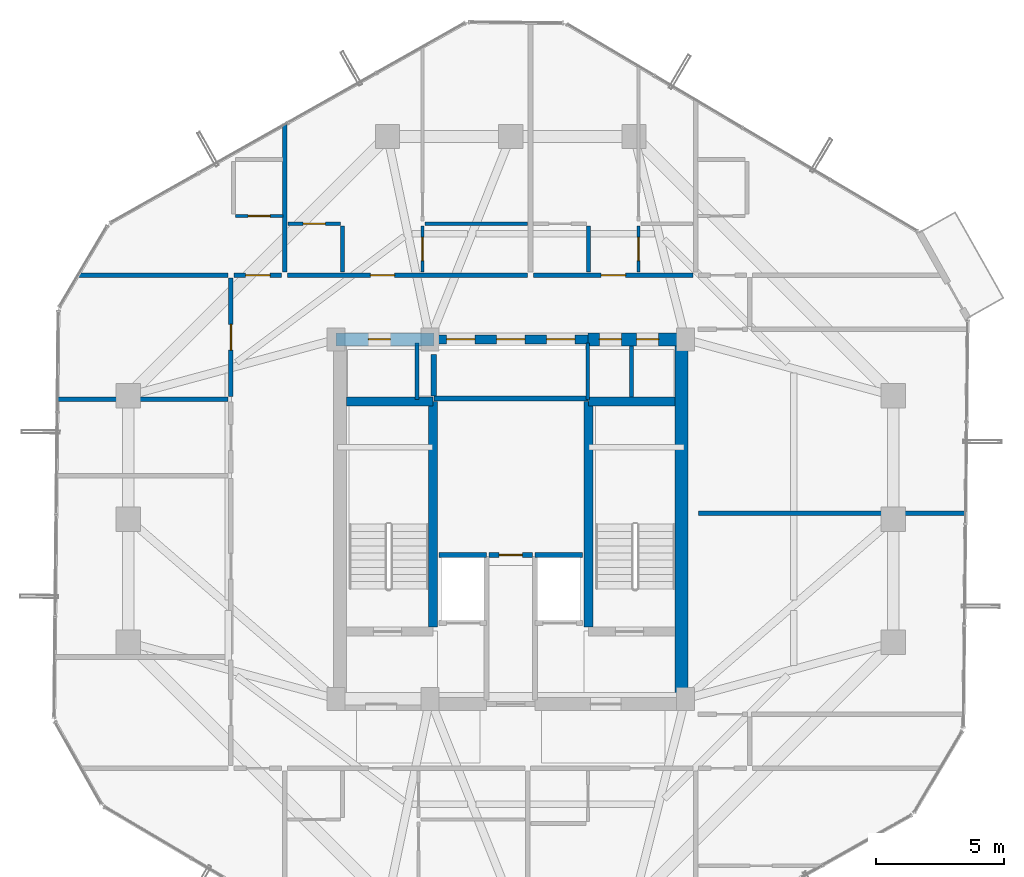
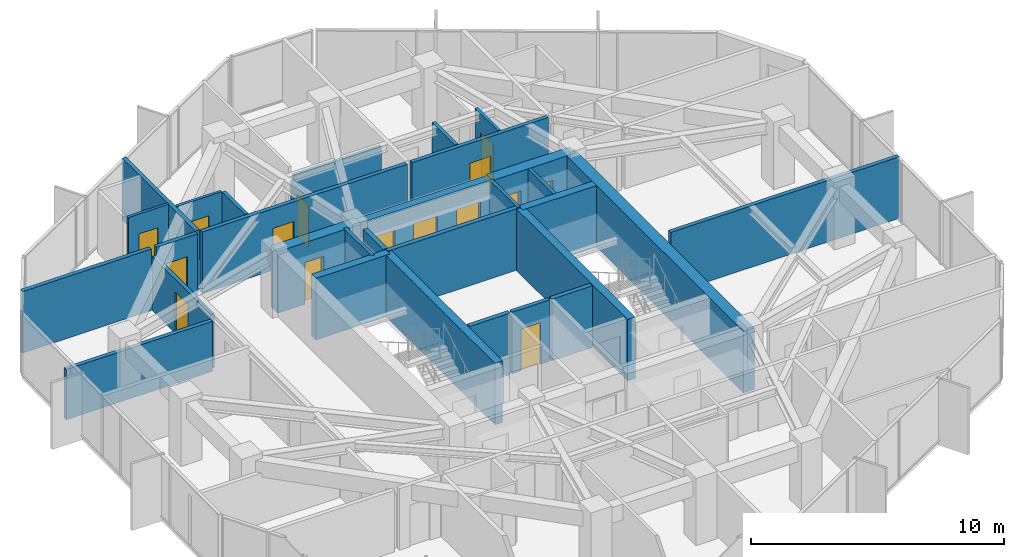
# One storey, part 27 of 30: 31 walls, 15 doors, 15 openings.
"""IFC4 building model written with IfcOpenShell, lengths in metres."""

import ifcopenshell
import ifcopenshell.guid

model = None  # the IFC model being written
_history = None  # IfcOwnerHistory: only IFC2X3 demands one
_inside = {}  # id of a spatial element -> (the spatial element, [elements in it])
_under = {}  # id of a project, library or spatial element -> (it, [spatial elements below it])
_declared = {}  # id of a project -> (the project, [libraries it declares])
_typed = {}  # id of a type object -> (the type object, [elements of that type])
_made_of = {}  # id of a material, layer set ... -> (it, [elements and type objects made of it])


def new_model(schema):
    """Start an empty IFC model of exactly this schema.

    Asked for "IFC4X3", IfcOpenShell would pick the latest addendum, in which some entities
    have other attributes; the version numbers below select the first issue.
    IFC2X3 requires an IfcOwnerHistory on every rooted entity: one is made here for all.
    """
    global model, _history
    if schema == "IFC4X3":
        model = ifcopenshell.file(schema_version=(4, 3, 0, 0))
    else:
        model = ifcopenshell.file(schema=schema)
    _inside.clear()
    _under.clear()
    _declared.clear()
    _typed.clear()
    _made_of.clear()
    _history = None
    if model.schema == "IFC2X3":
        org = make("IfcOrganization", Name="unknown")
        user = make(
            "IfcPersonAndOrganization",
            ThePerson=make("IfcPerson", FamilyName="unknown"),
            TheOrganization=org,
        )
        app = make(
            "IfcApplication",
            ApplicationDeveloper=org,
            Version="unknown",
            ApplicationFullName="unknown",
            ApplicationIdentifier="unknown",
        )
        _history = make(
            "IfcOwnerHistory",
            OwningUser=user,
            OwningApplication=app,
            ChangeAction="ADDED",
            CreationDate=0,
        )
    return model


def make(cls, **values):
    """One entity of the class cls with the attributes given. An attribute that is None is left unset."""
    return model.create_entity(
        cls, **{name: value for name, value in values.items() if value is not None}
    )


def rooted(cls, **values):
    """An entity with a GlobalId (a new one), such as an element, a storey or a relation."""
    return make(cls, GlobalId=ifcopenshell.guid.new(), OwnerHistory=_history, **values)


def si_unit(unit_type, name, prefix=None):
    """IfcSIUnit, for example si_unit("LENGTHUNIT", "METRE", prefix="MILLI")."""
    return make("IfcSIUnit", UnitType=unit_type, Prefix=prefix, Name=name)


def assignment(units):
    """IfcUnitAssignment: the units of a project."""
    return None if units is None else make("IfcUnitAssignment", Units=units)


def point(xyz):
    """IfcCartesianPoint."""
    return None if xyz is None else make("IfcCartesianPoint", Coordinates=xyz)


def direction(xyz):
    """IfcDirection."""
    return None if xyz is None else make("IfcDirection", DirectionRatios=xyz)


def frame(location, z_axis=None, x_axis=None):
    """IfcAxis2Placement3D, a coordinate frame: its origin and axes. An axis left out is left unset."""
    return make(
        "IfcAxis2Placement3D",
        Location=point(location),
        Axis=direction(z_axis),
        RefDirection=direction(x_axis),
    )


def frame_2d(location, x_axis=None):
    """IfcAxis2Placement2D, a coordinate frame in the plane: its origin and x axis."""
    return make(
        "IfcAxis2Placement2D", Location=point(location), RefDirection=direction(x_axis)
    )


def origin():
    """The frame at (0, 0, 0) with its axes left unset."""
    return frame((0.0, 0.0, 0.0))


def place(relative_to, where):
    """IfcLocalPlacement: puts the frame where relative to a parent placement (None: the world)."""
    return make(
        "IfcLocalPlacement", PlacementRelTo=relative_to, RelativePlacement=where
    )


def context(
    kind, dimensions, precision=None, world=None, true_north=None, identifier=None
):
    """IfcGeometricRepresentationContext, for example the 3D "Model" context."""
    return make(
        "IfcGeometricRepresentationContext",
        ContextIdentifier=identifier,
        ContextType=kind,
        CoordinateSpaceDimension=dimensions,
        Precision=precision,
        WorldCoordinateSystem=world,
        TrueNorth=true_north,
    )


def subcontext(parent, identifier, kind, view, scale=None):
    """IfcGeometricRepresentationSubContext, for example "Body" below "Model"."""
    return make(
        "IfcGeometricRepresentationSubContext",
        ContextIdentifier=identifier,
        ContextType=kind,
        ParentContext=parent,
        TargetScale=scale,
        TargetView=view,
    )


def project(units=None, contexts=None):
    """IfcProject with its units and contexts."""
    return rooted(
        "IfcProject",
        Name="project",
        RepresentationContexts=contexts,
        UnitsInContext=assignment(units),
    )


def spatial(cls, under=None, at=None, **own):
    """A site, building, storey or space (cls), placed at a placement, below another one or the project."""
    s = rooted(cls, ObjectPlacement=at, **own)
    if under is not None:
        _under.setdefault(under.id(), (under, []))[1].append(s)
    return s


def profile(cls, at=None, kind="AREA", **sizes):
    """A parametric profile (cls). Its sizes go by their IFC names, for example OverallWidth=200.0."""
    return make(cls, ProfileType=kind, Position=at, **sizes)


def rectangle(**sizes):
    """IfcRectangleProfileDef."""
    return profile("IfcRectangleProfileDef", **sizes)


def extrude(swept, where, along, depth):
    """IfcExtrudedAreaSolid: the profile swept, set in the frame where, extruded along a direction by depth."""
    return make(
        "IfcExtrudedAreaSolid",
        SweptArea=swept,
        Position=where,
        ExtrudedDirection=direction(along),
        Depth=depth,
    )


def shape(context_of_items, identifier, shape_type, items):
    """IfcShapeRepresentation: the items that make up one representation, for example the "Body"."""
    return make(
        "IfcShapeRepresentation",
        ContextOfItems=context_of_items,
        RepresentationIdentifier=identifier,
        RepresentationType=shape_type,
        Items=items,
    )


def source(mapping_origin, context_of_items, identifier, shape_type, items):
    """IfcRepresentationMap: a shape defined once, which mapped items show again and again."""
    return make(
        "IfcRepresentationMap",
        MappingOrigin=mapping_origin,
        MappedRepresentation=shape(context_of_items, identifier, shape_type, items),
    )


def transform(
    local_origin,
    x_axis=None,
    y_axis=None,
    z_axis=None,
    scale=None,
    scale2=None,
    scale3=None,
    uniform=True,
):
    """IfcCartesianTransformationOperator3D, or its non-uniform kind. x_axis, y_axis, z_axis: its Axis1, 2, 3."""
    if uniform:
        return make(
            "IfcCartesianTransformationOperator3D",
            Axis1=direction(x_axis),
            Axis2=direction(y_axis),
            LocalOrigin=point(local_origin),
            Scale=scale,
            Axis3=direction(z_axis),
        )
    return make(
        "IfcCartesianTransformationOperator3DnonUniform",
        Axis1=direction(x_axis),
        Axis2=direction(y_axis),
        LocalOrigin=point(local_origin),
        Scale=scale,
        Axis3=direction(z_axis),
        Scale2=scale2,
        Scale3=scale3,
    )


def mapped(mapping_source, mapping_target):
    """IfcMappedItem: shows the shape of a source again, moved by a transform."""
    return make(
        "IfcMappedItem", MappingSource=mapping_source, MappingTarget=mapping_target
    )


def material(Name=None, Category=None):
    """IfcMaterial."""
    return make("IfcMaterial", Name=Name, Category=Category)


def layer(
    of_material, thickness, ventilated=None, Name=None, Category=None, Priority=None
):
    """IfcMaterialLayer: one layer of a wall or slab, of a material (None: an air gap)."""
    return make(
        "IfcMaterialLayer",
        Material=of_material,
        LayerThickness=thickness,
        IsVentilated=ventilated,
        Name=Name,
        Category=Category,
        Priority=Priority,
    )


def layer_set(layers, Name=None):
    """IfcMaterialLayerSet."""
    return make("IfcMaterialLayerSet", MaterialLayers=layers, LayerSetName=Name)


def made_of(thing, what):
    """Note that an element or type object is made of a material, layer set ...; save() writes the relation."""
    if what is not None:
        _made_of.setdefault(what.id(), (what, []))[1].append(thing)
    return thing


def type_object(cls, material=None, **own):
    """A type object (cls), such as IfcWallType, which elements share."""
    return made_of(rooted(cls, **own), material)


def element(
    cls,
    number,
    at=None,
    inside=None,
    cuts=None,
    type_object=None,
    material=None,
    context=None,
    identifier="Body",
    shape_type=None,
    held_by="IfcProductDefinitionShape",
    body=None,
    shapes=None,
    **own,
):
    """One element of the class cls, such as IfcWall. Its Tag is "e" and its number.

    at: its placement. inside: the storey or other place that contains it. cuts: it is an
    opening in that element (IfcRelVoidsElement). A single representation is given by context,
    identifier, shape_type and body (its items); several are given by shapes. held_by: the class
    of the entity that holds the representations. save() writes the other relations.
    """
    e = rooted(cls, Tag="e%d" % number, ObjectPlacement=at, **own)
    if body is not None:
        shapes = [shape(context, identifier, shape_type, body)]
    if shapes is not None:
        e.Representation = make(held_by, Representations=shapes)
    if inside is not None:
        _inside.setdefault(inside.id(), (inside, []))[1].append(e)
    if cuts is not None:
        rooted(
            "IfcRelVoidsElement", RelatingBuildingElement=cuts, RelatedOpeningElement=e
        )
    if type_object is not None:
        _typed.setdefault(type_object.id(), (type_object, []))[1].append(e)
    return made_of(e, material)


def fill(opening, filler):
    """IfcRelFillsElement: the door or window that sits in an opening."""
    return rooted(
        "IfcRelFillsElement",
        RelatingOpeningElement=opening,
        RelatedBuildingElement=filler,
    )


def aggregate(whole, parts):
    """IfcRelAggregates: a whole, such as a stair, and the parts it consists of."""
    return rooted("IfcRelAggregates", RelatingObject=whole, RelatedObjects=parts)


def save(model, path):
    """Write the relations noted so far, then the file.

    IfcRelAggregates (storeys below a building ...), IfcRelContainedInSpatialStructure (elements
    in a storey), IfcRelDefinesByType, IfcRelAssociatesMaterial and IfcRelDeclares: one each for
    every whole, place, type object, material and project.
    """
    for whole, parts in _under.values():
        aggregate(whole, parts)
    for where, things in _inside.values():
        rooted(
            "IfcRelContainedInSpatialStructure",
            RelatedElements=things,
            RelatingStructure=where,
        )
    for kind, things in _typed.values():
        rooted("IfcRelDefinesByType", RelatedObjects=things, RelatingType=kind)
    for what, things in _made_of.values():
        rooted("IfcRelAssociatesMaterial", RelatedObjects=things, RelatingMaterial=what)
    for by, libraries in _declared.values():
        rooted("IfcRelDeclares", RelatingContext=by, RelatedDefinitions=libraries)
    model.write(path)


model = new_model("IFC4")

# Units and contexts
model_context = context("Model", 3, precision=1e-05, world=origin(), true_north=direction((0.0, 1.0)))
body_context = subcontext(model_context, "Body", "Model", "MODEL_VIEW")
ifc_project = project(units=[si_unit("LENGTHUNIT", "METRE"), si_unit("AREAUNIT", "SQUARE_METRE"), si_unit("VOLUMEUNIT", "CUBIC_METRE"), si_unit("PLANEANGLEUNIT", "RADIAN"), si_unit("MASSUNIT", "GRAM", prefix="KILO")], contexts=[model_context])

# Site, building, storey
site_placement = place(None, origin())
site = spatial("IfcSite", under=ifc_project, at=site_placement, CompositionType="ELEMENT")
building_placement = place(site_placement, origin())
building = spatial("IfcBuilding", under=site, at=building_placement, Name="Veraguas Prism Commons", CompositionType="ELEMENT")
storey_placement = place(building_placement, frame((0.0, 0.0, 208.10009765625)))
storey = spatial("IfcBuildingStorey", under=building, at=storey_placement, Name="L59", CompositionType="ELEMENT", Elevation=208.10009765625)

# Wall, openings, doors
ifc_material_1 = material(Name="Concrete C50/60", Category="concrete")
ifc_layer_1 = layer(ifc_material_1, 0.35009765625, Name="Core Internal Shear Wall Upper RC 350", Category="concrete")
ifc_layer_set_1 = layer_set([ifc_layer_1], Name="Concrete C50/60")
wall_type_1 = type_object("IfcWallType", Name="Core Internal Shear Wall Upper RC 350", PredefinedType="SHEAR", material=ifc_layer_set_1)
wall_1_placement = place(storey_placement, frame((21.0, 31.0, 0.0), z_axis=(0.0, 0.0, 1.0), x_axis=(1.0, 0.0, 0.0)))
wall_1 = element("IfcWall", 1, at=wall_1_placement, inside=storey, type_object=wall_type_1, Name="High-Rise Lift Bank Front Shear Wall L59", PredefinedType="SHEAR", context=body_context, shape_type="SweptSolid", body=[
    extrude(rectangle(XDim=6.0, YDim=0.35009765625, at=frame_2d((3.0, 0.0))), origin(), (0.0, 0.0, 1.0), 2.969970703125),
])
opening_1_placement = place(wall_1_placement, frame((0.5, 0.0, 0.0)))
opening_1 = element("IfcOpeningElement", 2, at=opening_1_placement, cuts=wall_1, Name="Opening LD-01", PredefinedType="OPENING", context=body_context, shape_type="SweptSolid", body=[
    extrude(rectangle(XDim=1.10009765625, YDim=2.080078125, at=frame_2d((0.550048828125, 1.0400390625))), frame((0.0, 0.18505859375, 0.0), z_axis=(0.0, -1.0, 0.0), x_axis=(1.0, 0.0, 0.0)), (0.0, 0.0, 1.0), 0.3701171875),
])
opening_2_placement = place(wall_1_placement, frame((2.449951171875, 0.0, 0.0)))
opening_2 = element("IfcOpeningElement", 3, at=opening_2_placement, cuts=wall_1, Name="Opening LD-01", PredefinedType="OPENING", context=body_context, shape_type="SweptSolid", body=[
    extrude(rectangle(XDim=1.10009765625, YDim=2.080078125, at=frame_2d((0.550048828125, 1.0400390625))), frame((0.0, 0.18505859375, 0.0), z_axis=(0.0, -1.0, 0.0), x_axis=(1.0, 0.0, 0.0)), (0.0, 0.0, 1.0), 0.3701171875),
])
opening_3_placement = place(wall_1_placement, frame((4.39990234375, 0.0, 0.0)))
opening_3 = element("IfcOpeningElement", 4, at=opening_3_placement, cuts=wall_1, Name="Opening LD-01", PredefinedType="OPENING", context=body_context, shape_type="SweptSolid", body=[
    extrude(rectangle(XDim=1.10009765625, YDim=2.080078125, at=frame_2d((0.550048828125, 1.0400390625))), frame((0.0, 0.18505859375, 0.0), z_axis=(0.0, -1.0, 0.0), x_axis=(1.0, 0.0, 0.0)), (0.0, 0.0, 1.0), 0.3701171875),
])
ifc_material_2 = material(Name="Stainless steel AISI 316", Category="steel")
door_type_1 = type_object("IfcDoorType", Name="Passenger Lift Sliding Landing Door 1100x2080", OperationType="NOTDEFINED", PredefinedType="DOOR", material=ifc_material_2)
shared_shape_1 = source(origin(), body_context, "Body", "SweptSolid", [
    extrude(rectangle(XDim=1.10009765625, YDim=2.080078125, at=frame_2d((0.550048828125, 1.0400390625))), frame((0.0, 0.02490234375, 0.0), z_axis=(0.0, -1.0, 0.0), x_axis=(1.0, 0.0, 0.0)), (0.0, 0.0, 1.0), 0.050048828125),
])
door_1_placement = place(opening_1_placement, origin())
door_1 = element("IfcDoor", 5, at=door_1_placement, inside=storey, type_object=door_type_1, Name="Sliding Landing Door PL-H1 L59", OperationType="SLIDING_TO_LEFT", OverallHeight=2.080078125, OverallWidth=1.10009765625, PredefinedType="DOOR", context=body_context, shape_type="MappedRepresentation", body=[
    mapped(shared_shape_1, transform((0.0, 0.0, 0.0), scale=1.0)),
])
fill(opening_1, door_1)
door_2_placement = place(opening_2_placement, origin())
door_2 = element("IfcDoor", 6, at=door_2_placement, inside=storey, type_object=door_type_1, Name="Sliding Landing Door PL-H2 L59", OperationType="SLIDING_TO_LEFT", OverallHeight=2.080078125, OverallWidth=1.10009765625, PredefinedType="DOOR", context=body_context, shape_type="MappedRepresentation", body=[
    mapped(shared_shape_1, transform((0.0, 0.0, 0.0), scale=1.0)),
])
fill(opening_2, door_2)
door_3_placement = place(opening_3_placement, origin())
door_3 = element("IfcDoor", 7, at=door_3_placement, inside=storey, type_object=door_type_1, Name="Sliding Landing Door PL-H3 L59", OperationType="SLIDING_TO_LEFT", OverallHeight=2.080078125, OverallWidth=1.10009765625, PredefinedType="DOOR", context=body_context, shape_type="MappedRepresentation", body=[
    mapped(shared_shape_1, transform((0.0, 0.0, 0.0), scale=1.0)),
])
fill(opening_3, door_3)

# Walls
for number, where, z_axis, x_axis, name in (
    (8, (20.97509765625, 19.800048828125, 0.0), (0.0, 0.0, 1.0), (0.0, 1.0, 0.0), "Stair ST-01 Inner Shear Wall L59"),
    (9, (27.02490234375, 19.800048828125, 0.0), (0.0, 0.0, 1.0), (0.0, 1.0, 0.0), "Stair ST-02 Inner Shear Wall L59"),
):
    element("IfcWall", number, at=place(storey_placement, frame(where, z_axis=z_axis, x_axis=x_axis)), inside=storey, type_object=wall_type_1, Name=name, PredefinedType="SHEAR", context=body_context, shape_type="SweptSolid", body=[
        extrude(rectangle(XDim=8.77490234375, YDim=0.35009765625, at=frame_2d((4.387451171875, 0.0))), origin(), (0.0, 0.0, 1.0), 2.969970703125),
    ])
for number, where, z_axis, x_axis, name in (
    (10, (17.60009765625, 28.574951171875, 0.0), (0.0, 0.0, 1.0), (1.0, 0.0, 0.0), "Stair ST-01 North Shear Wall L59"),
    (11, (27.02490234375, 28.574951171875, 0.0), (0.0, 0.0, 1.0), (1.0, 0.0, 0.0), "Stair ST-02 North Shear Wall L59"),
):
    element("IfcWall", number, at=place(storey_placement, frame(where, z_axis=z_axis, x_axis=x_axis)), inside=storey, type_object=wall_type_1, Name=name, PredefinedType="SHEAR", context=body_context, shape_type="SweptSolid", body=[
        extrude(rectangle(XDim=3.375, YDim=0.35009765625, at=frame_2d((1.6875, 0.0))), origin(), (0.0, 0.0, 1.0), 2.969970703125),
    ])
ifc_layer_2 = layer(ifc_material_1, 0.5, Name="Core Outer Shear Wall Upper RC 500", Category="concrete")
ifc_layer_set_2 = layer_set([ifc_layer_2], Name="Concrete C50/60")
wall_type_2 = type_object("IfcWallType", Name="Core Outer Shear Wall Upper RC 500", PredefinedType="SHEAR", material=ifc_layer_set_2)
wall_2_placement = place(storey_placement, frame((30.64990234375, 16.800048828125, 0.0), z_axis=(0.0, 0.0, 1.0), x_axis=(0.0, 1.0, 0.0)))
element("IfcWall", 12, at=wall_2_placement, inside=storey, type_object=wall_type_2, Name="Central Core East Shear Wall L59", PredefinedType="SHEAR", context=body_context, shape_type="SweptSolid", body=[
    extrude(rectangle(XDim=14.199951171875, YDim=0.5, at=frame_2d((7.10009765625, 0.0))), origin(), (0.0, 0.0, 1.0), 2.969970703125),
])

# Wall, opening, door
wall_3_placement = place(storey_placement, frame((17.199951171875, 31.0, 0.0), z_axis=(0.0, 0.0, 1.0), x_axis=(1.0, 0.0, 0.0)))
wall_3 = element("IfcWall", 13, at=wall_3_placement, inside=storey, type_object=wall_type_2, Name="Central Core North-West Shear Wall L59", PredefinedType="SHEAR", context=body_context, shape_type="SweptSolid", body=[
    extrude(rectangle(XDim=3.800048828125, YDim=0.5, at=frame_2d((1.89990234375, 0.0))), origin(), (0.0, 0.0, 1.0), 2.969970703125),
])
opening_4_placement = place(wall_3_placement, frame((1.25, 0.0, 0.0)))
opening_4 = element("IfcOpeningElement", 14, at=opening_4_placement, cuts=wall_3, Name="Opening DR-12", PredefinedType="OPENING", context=body_context, shape_type="SweptSolid", body=[
    extrude(rectangle(XDim=0.860107421875, YDim=2.010009765625, at=frame_2d((0.43017578125, 1.0048828125))), frame((0.0, 0.260009765625, 0.0), z_axis=(0.0, -1.0, 0.0), x_axis=(1.0, 0.0, 0.0)), (0.0, 0.0, 1.0), 0.52001953125),
])
ifc_material_3 = material(Name="Steel fire-rated door assembly", Category="steel")
door_type_2 = type_object("IfcDoorType", Name="Core WC Fire Door 860x2010", OperationType="NOTDEFINED", PredefinedType="DOOR", material=ifc_material_3)
shared_shape_2 = source(origin(), body_context, "Body", "SweptSolid", [
    extrude(rectangle(XDim=0.860107421875, YDim=2.010009765625, at=frame_2d((0.43017578125, 1.0048828125))), frame((0.0, 0.02490234375, 0.0), z_axis=(0.0, -1.0, 0.0), x_axis=(1.0, 0.0, 0.0)), (0.0, 0.0, 1.0), 0.050048828125),
])
door_4_placement = place(opening_4_placement, origin())
door_4 = element("IfcDoor", 15, at=door_4_placement, inside=storey, type_object=door_type_2, Name="Core NW Service Door L59", OperationType="SINGLE_SWING_RIGHT", OverallHeight=2.010009765625, OverallWidth=0.860107421875, PredefinedType="DOOR", context=body_context, shape_type="MappedRepresentation", body=[
    mapped(shared_shape_2, transform((0.0, 0.0, 0.0), scale=1.0)),
])
fill(opening_4, door_4)

# Wall, openings, doors
wall_4_placement = place(storey_placement, frame((27.0, 31.0, 0.0), z_axis=(0.0, 0.0, 1.0), x_axis=(1.0, 0.0, 0.0)))
wall_4 = element("IfcWall", 16, at=wall_4_placement, inside=storey, type_object=wall_type_2, Name="Central Core North-East Shear Wall L59", PredefinedType="SHEAR", context=body_context, shape_type="SweptSolid", body=[
    extrude(rectangle(XDim=3.800048828125, YDim=0.5, at=frame_2d((1.89990234375, 0.0))), origin(), (0.0, 0.0, 1.0), 2.969970703125),
])
opening_5_placement = place(wall_4_placement, frame((0.449951171875, 0.0, 0.0)))
opening_5 = element("IfcOpeningElement", 17, at=opening_5_placement, cuts=wall_4, Name="Opening DR-12", PredefinedType="OPENING", context=body_context, shape_type="SweptSolid", body=[
    extrude(rectangle(XDim=0.860107421875, YDim=2.010009765625, at=frame_2d((0.43017578125, 1.0048828125))), frame((0.0, 0.260009765625, 0.0), z_axis=(0.0, -1.0, 0.0), x_axis=(1.0, 0.0, 0.0)), (0.0, 0.0, 1.0), 0.52001953125),
])
opening_6_placement = place(wall_4_placement, frame((1.89990234375, 0.0, 0.0)))
opening_6 = element("IfcOpeningElement", 18, at=opening_6_placement, cuts=wall_4, Name="Opening DR-12", PredefinedType="OPENING", context=body_context, shape_type="SweptSolid", body=[
    extrude(rectangle(XDim=0.860107421875, YDim=2.010009765625, at=frame_2d((0.43017578125, 1.0048828125))), frame((0.0, 0.260009765625, 0.0), z_axis=(0.0, -1.0, 0.0), x_axis=(1.0, 0.0, 0.0)), (0.0, 0.0, 1.0), 0.52001953125),
])
door_5_placement = place(opening_5_placement, origin())
door_5 = element("IfcDoor", 19, at=door_5_placement, inside=storey, type_object=door_type_2, Name="Core NE Room A Door L59", OperationType="SINGLE_SWING_LEFT", OverallHeight=2.010009765625, OverallWidth=0.860107421875, PredefinedType="DOOR", context=body_context, shape_type="MappedRepresentation", body=[
    mapped(shared_shape_2, transform((0.0, 0.0, 0.0), scale=1.0)),
])
fill(opening_5, door_5)
door_6_placement = place(opening_6_placement, origin())
door_6 = element("IfcDoor", 20, at=door_6_placement, inside=storey, type_object=door_type_2, Name="Core NE Room B Door L59", OperationType="SINGLE_SWING_RIGHT", OverallHeight=2.010009765625, OverallWidth=0.860107421875, PredefinedType="DOOR", context=body_context, shape_type="MappedRepresentation", body=[
    mapped(shared_shape_2, transform((0.0, 0.0, 0.0), scale=1.0)),
])
fill(opening_6, door_6)

# Wall, opening, door
ifc_material_4 = material(Name="Autoclaved aerated masonry block 10 MPa", Category="masonry")
ifc_layer_3 = layer(ifc_material_4, 0.179931640625, Name="Corridor and Inter-Tenancy Partition 180", Category="masonry")
ifc_layer_set_3 = layer_set([ifc_layer_3], Name="Autoclaved aerated masonry block 10 MPa")
wall_type_3 = type_object("IfcWallType", Name="Corridor and Inter-Tenancy Partition 180", PredefinedType="PARTITIONING", material=ifc_layer_set_3)
wall_5_placement = place(storey_placement, frame((23.14990234375, 22.60009765625, 0.0), z_axis=(0.0, 0.0, 1.0), x_axis=(1.0, 0.0, 0.0)))
wall_5 = element("IfcWall", 21, at=wall_5_placement, inside=storey, type_object=wall_type_3, Name="Core Suite Entry Wall L59", PredefinedType="PARTITIONING", context=body_context, shape_type="SweptSolid", body=[
    extrude(rectangle(XDim=1.7001953125, YDim=0.179931640625, at=frame_2d((0.85009765625, 0.0))), origin(), (0.0, 0.0, 1.0), 2.969970703125),
])
opening_7_placement = place(wall_5_placement, frame((0.39990234375, 0.0, 0.0)))
opening_7 = element("IfcOpeningElement", 22, at=opening_7_placement, cuts=wall_5, Name="Opening DR-14", PredefinedType="OPENING", context=body_context, shape_type="SweptSolid", body=[
    extrude(rectangle(XDim=0.89990234375, YDim=2.010009765625, at=frame_2d((0.449951171875, 1.0048828125))), frame((0.0, 0.099853515625, 0.0), z_axis=(0.0, -1.0, 0.0), x_axis=(1.0, 0.0, 0.0)), (0.0, 0.0, 1.0), 0.199951171875),
])
door_type_3 = type_object("IfcDoorType", Name="Core Service Room Fire Door 900x2010", OperationType="NOTDEFINED", PredefinedType="DOOR", material=ifc_material_3)
shared_shape_3 = source(origin(), body_context, "Body", "SweptSolid", [
    extrude(rectangle(XDim=0.89990234375, YDim=2.010009765625, at=frame_2d((0.449951171875, 1.0048828125))), frame((0.0, 0.02490234375, 0.0), z_axis=(0.0, -1.0, 0.0), x_axis=(1.0, 0.0, 0.0)), (0.0, 0.0, 1.0), 0.050048828125),
])
door_7_placement = place(opening_7_placement, origin())
door_7 = element("IfcDoor", 23, at=door_7_placement, inside=storey, type_object=door_type_3, Name="Core Suite Entry Door L59", OperationType="SINGLE_SWING_LEFT", OverallHeight=2.010009765625, OverallWidth=0.89990234375, PredefinedType="DOOR", context=body_context, shape_type="MappedRepresentation", body=[
    mapped(shared_shape_3, transform((0.0, 0.0, 0.0), scale=1.0)),
])
fill(opening_7, door_7)

# Wall
wall_6_placement = place(storey_placement, frame((15.199951171875, 33.6201171875, 0.0), z_axis=(0.0, 0.0, 1.0), x_axis=(0.0, 1.0, 0.0)))
element("IfcWall", 24, at=wall_6_placement, inside=storey, type_object=wall_type_3, Name="WL-L59-PT013", PredefinedType="PARTITIONING", context=body_context, shape_type="SweptSolid", body=[
    extrude(rectangle(XDim=5.783935546875, YDim=0.179931640625, at=frame_2d((2.89208984375, 0.0))), origin(), (0.0, 0.0, 1.0), 2.969970703125),
])

# Wall, opening, door
wall_7_placement = place(storey_placement, frame((15.31005859375, 33.5, 0.0), z_axis=(0.0, 0.0, 1.0), x_axis=(1.0, 0.0, 0.0)))
wall_7 = element("IfcWall", 25, at=wall_7_placement, inside=storey, type_object=wall_type_3, Name="WL-L59-PT015", PredefinedType="PARTITIONING", context=body_context, shape_type="SweptSolid", body=[
    extrude(rectangle(XDim=9.349853515625, YDim=0.179931640625, at=frame_2d((4.6748046875, 0.0))), origin(), (0.0, 0.0, 1.0), 2.969970703125),
])
opening_8_placement = place(wall_7_placement, frame((3.219482421875, 0.0, 0.0)))
opening_8 = element("IfcOpeningElement", 26, at=opening_8_placement, cuts=wall_7, Name="Opening DR-01", PredefinedType="OPENING", context=body_context, shape_type="SweptSolid", body=[
    extrude(rectangle(XDim=0.949951171875, YDim=2.02001953125, at=frame_2d((0.47509765625, 1.010009765625))), frame((0.0, 0.099853515625, 0.0), z_axis=(0.0, -1.0, 0.0), x_axis=(1.0, 0.0, 0.0)), (0.0, 0.0, 1.0), 0.199951171875),
])
ifc_material_5 = material(Name="Anodised aluminium EN AW-6063 T6", Category="aluminium")
door_type_4 = type_object("IfcDoorType", Name="Apartment Entrance Fire Door 950x2020", OperationType="NOTDEFINED", PredefinedType="DOOR", material=ifc_material_5)
shared_shape_4 = source(origin(), body_context, "Body", "SweptSolid", [
    extrude(rectangle(XDim=0.949951171875, YDim=2.02001953125, at=frame_2d((0.47509765625, 1.010009765625))), frame((0.0, 0.02490234375, 0.0), z_axis=(0.0, -1.0, 0.0), x_axis=(1.0, 0.0, 0.0)), (0.0, 0.0, 1.0), 0.050048828125),
])
door_8_placement = place(opening_8_placement, origin())
door_8 = element("IfcDoor", 27, at=door_8_placement, inside=storey, type_object=door_type_4, Name="Flat 59C Entrance Door", OperationType="SINGLE_SWING_RIGHT", OverallHeight=2.02001953125, OverallWidth=0.949951171875, PredefinedType="DOOR", context=body_context, shape_type="MappedRepresentation", body=[
    mapped(shared_shape_4, transform((0.0, 0.0, 0.0), scale=1.0)),
])
fill(opening_8, door_8)

wall_8_placement = place(storey_placement, frame((24.8798828125, 33.5, 0.0), z_axis=(0.0, 0.0, 1.0), x_axis=(1.0, 0.0, 0.0)))
wall_8 = element("IfcWall", 28, at=wall_8_placement, inside=storey, type_object=wall_type_3, Name="WL-L59-PT022", PredefinedType="PARTITIONING", context=body_context, shape_type="SweptSolid", body=[
    extrude(rectangle(XDim=6.210205078125, YDim=0.179931640625, at=frame_2d((3.10498046875, 0.0))), origin(), (0.0, 0.0, 1.0), 2.969970703125),
])
opening_9_placement = place(wall_8_placement, frame((2.639892578125, 0.0, 0.0)))
opening_9 = element("IfcOpeningElement", 29, at=opening_9_placement, cuts=wall_8, Name="Opening DR-01", PredefinedType="OPENING", context=body_context, shape_type="SweptSolid", body=[
    extrude(rectangle(XDim=0.949951171875, YDim=2.02001953125, at=frame_2d((0.47509765625, 1.010009765625))), frame((0.0, 0.099853515625, 0.0), z_axis=(0.0, -1.0, 0.0), x_axis=(1.0, 0.0, 0.0)), (0.0, 0.0, 1.0), 0.199951171875),
])
door_9_placement = place(opening_9_placement, origin())
door_9 = element("IfcDoor", 30, at=door_9_placement, inside=storey, type_object=door_type_4, Name="Flat 59D Entrance Door", OperationType="SINGLE_SWING_RIGHT", OverallHeight=2.02001953125, OverallWidth=0.949951171875, PredefinedType="DOOR", context=body_context, shape_type="MappedRepresentation", body=[
    mapped(shared_shape_4, transform((0.0, 0.0, 0.0), scale=1.0)),
])
fill(opening_9, door_9)

# Wall
wall_9_placement = place(storey_placement, frame((12.97998046875, 33.5, 0.0), z_axis=(0.0, 0.0, 1.0), x_axis=(-1.0, 0.0, 0.0)))
element("IfcWall", 31, at=wall_9_placement, inside=storey, type_object=wall_type_3, Name="WL-L59-PT029", PredefinedType="PARTITIONING", context=body_context, shape_type="SweptSolid", body=[
    extrude(rectangle(XDim=5.869140625, YDim=0.179931640625, at=frame_2d((2.9345703125, 0.0))), origin(), (0.0, 0.0, 1.0), 2.969970703125),
])

# Wall, opening, door
wall_10_placement = place(storey_placement, frame((13.10009765625, 28.77001953125, 0.0), z_axis=(0.0, 0.0, 1.0), x_axis=(0.0, 1.0, 0.0)))
wall_10 = element("IfcWall", 32, at=wall_10_placement, inside=storey, type_object=wall_type_3, Name="WL-L59-PT035", PredefinedType="PARTITIONING", context=body_context, shape_type="SweptSolid", body=[
    extrude(rectangle(XDim=4.619873046875, YDim=0.179931640625, at=frame_2d((2.31005859375, 0.0))), origin(), (0.0, 0.0, 1.0), 2.616943359375),
])
opening_10_placement = place(wall_10_placement, frame((1.81005859375, 0.0, 0.0)))
opening_10 = element("IfcOpeningElement", 33, at=opening_10_placement, cuts=wall_10, Name="Opening DR-13", PredefinedType="OPENING", context=body_context, shape_type="SweptSolid", body=[
    extrude(rectangle(XDim=1.0, YDim=2.010009765625, at=frame_2d((0.5, 1.0048828125))), frame((0.0, 0.099853515625, 0.0), z_axis=(0.0, -1.0, 0.0), x_axis=(1.0, 0.0, 0.0)), (0.0, 0.0, 1.0), 0.199951171875),
])
door_type_5 = type_object("IfcDoorType", Name="Core Accessible WC and Clinic Fire Door 1000x2010", OperationType="NOTDEFINED", PredefinedType="DOOR", material=ifc_material_3)
shared_shape_5 = source(origin(), body_context, "Body", "SweptSolid", [
    extrude(rectangle(XDim=1.0, YDim=2.010009765625, at=frame_2d((0.5, 1.0048828125))), frame((0.0, 0.02490234375, 0.0), z_axis=(0.0, -1.0, 0.0), x_axis=(1.0, 0.0, 0.0)), (0.0, 0.0, 1.0), 0.050048828125),
])
door_10_placement = place(opening_10_placement, origin())
door_10 = element("IfcDoor", 34, at=door_10_placement, inside=storey, type_object=door_type_5, Name="Co-op Store W Door", OperationType="SINGLE_SWING_LEFT", OverallHeight=2.010009765625, OverallWidth=1.0, PredefinedType="DOOR", context=body_context, shape_type="MappedRepresentation", body=[
    mapped(shared_shape_5, transform((0.0, 0.0, 0.0), scale=1.0)),
])
fill(opening_10, door_10)

# Walls
wall_11_placement = place(storey_placement, frame((12.97998046875, 28.659912109375, 0.0), z_axis=(0.0, 0.0, 1.0), x_axis=(-1.0, 0.0, 0.0)))
element("IfcWall", 35, at=wall_11_placement, inside=storey, type_object=wall_type_3, Name="WL-L59-PT036", PredefinedType="PARTITIONING", context=body_context, shape_type="SweptSolid", body=[
    extrude(rectangle(XDim=6.67236328125, YDim=0.179931640625, at=frame_2d((3.336181640625, 0.0))), origin(), (0.0, 0.0, 1.0), 2.423828125),
])
wall_12_placement = place(storey_placement, frame((31.320068359375, 24.22509765625, 0.0), z_axis=(0.0, 0.0, 1.0), x_axis=(1.0, 0.0, 0.0)))
element("IfcWall", 36, at=wall_12_placement, inside=storey, type_object=wall_type_3, Name="WL-L59-PT037", PredefinedType="PARTITIONING", context=body_context, shape_type="SweptSolid", body=[
    extrude(rectangle(XDim=10.42333984375, YDim=0.179931640625, at=frame_2d((5.211669921875, 0.0))), origin(), (0.0, 0.0, 1.0), 2.969970703125),
])

# Wall, opening, door
wall_13_placement = place(storey_placement, frame((13.219970703125, 33.5, 0.0), z_axis=(0.0, 0.0, 1.0), x_axis=(1.0, 0.0, 0.0)))
wall_13 = element("IfcWall", 37, at=wall_13_placement, inside=storey, type_object=wall_type_3, Name="WL-L59-PT048", PredefinedType="PARTITIONING", context=body_context, shape_type="SweptSolid", body=[
    extrude(rectangle(XDim=1.860107421875, YDim=0.179931640625, at=frame_2d((0.93017578125, 0.0))), origin(), (0.0, 0.0, 1.0), 2.969970703125),
])
opening_11_placement = place(wall_13_placement, frame((0.455078125, 0.0, 0.0)))
opening_11 = element("IfcOpeningElement", 38, at=opening_11_placement, cuts=wall_13, Name="Opening DR-01", PredefinedType="OPENING", context=body_context, shape_type="SweptSolid", body=[
    extrude(rectangle(XDim=0.949951171875, YDim=2.02001953125, at=frame_2d((0.47509765625, 1.010009765625))), frame((0.0, 0.099853515625, 0.0), z_axis=(0.0, -1.0, 0.0), x_axis=(1.0, 0.0, 0.0)), (0.0, 0.0, 1.0), 0.199951171875),
])
door_11_placement = place(opening_11_placement, origin())
door_11 = element("IfcDoor", 39, at=door_11_placement, inside=storey, type_object=door_type_4, Name="Studio 59E Entrance Door", OperationType="SINGLE_SWING_LEFT", OverallHeight=2.02001953125, OverallWidth=0.949951171875, PredefinedType="DOOR", context=body_context, shape_type="MappedRepresentation", body=[
    mapped(shared_shape_4, transform((0.0, 0.0, 0.0), scale=1.0)),
])
fill(opening_11, door_11)

ifc_material_6 = material(Name="Lightweight acoustic gypsum board")
ifc_layer_4 = layer(ifc_material_6, 0.125, Name="Internal Apartment Room Partition 125")
ifc_layer_set_4 = layer_set([ifc_layer_4], Name="Lightweight acoustic gypsum board")
wall_type_4 = type_object("IfcWallType", Name="Internal Apartment Room Partition 125", PredefinedType="PARTITIONING", material=ifc_layer_set_4)
wall_14_placement = place(storey_placement, frame((15.320068359375, 35.5, 0.0), z_axis=(0.0, 0.0, 1.0), x_axis=(1.0, 0.0, 0.0)))
wall_14 = element("IfcWall", 40, at=wall_14_placement, inside=storey, type_object=wall_type_4, Name="WL-L59-PT017", PredefinedType="PARTITIONING", context=body_context, shape_type="SweptSolid", body=[
    extrude(rectangle(XDim=2.050048828125, YDim=0.125, at=frame_2d((1.02490234375, 0.0))), origin(), (0.0, 0.0, 1.0), 2.969970703125),
])
opening_12_placement = place(wall_14_placement, frame((0.594970703125, 0.0, 0.0)))
opening_12 = element("IfcOpeningElement", 41, at=opening_12_placement, cuts=wall_14, Name="Opening DR-03", PredefinedType="OPENING", context=body_context, shape_type="SweptSolid", body=[
    extrude(rectangle(XDim=0.860107421875, YDim=2.010009765625, at=frame_2d((0.43017578125, 1.0048828125))), frame((0.0, 0.072509765625, 0.0), z_axis=(0.0, -1.0, 0.0), x_axis=(1.0, 0.0, 0.0)), (0.0, 0.0, 1.0), 0.14501953125),
])
ifc_material_7 = material(Name="Timber moisture-resistant leaf", Category="wood")
door_type_6 = type_object("IfcDoorType", Name="Internal Bathroom Door 860x2010", OperationType="NOTDEFINED", PredefinedType="DOOR", material=ifc_material_7)
door_12_placement = place(opening_12_placement, origin())
door_12 = element("IfcDoor", 42, at=door_12_placement, inside=storey, type_object=door_type_6, Name="Flat 59C Bathroom Door", OperationType="SINGLE_SWING_LEFT", OverallHeight=2.010009765625, OverallWidth=0.860107421875, PredefinedType="DOOR", context=body_context, shape_type="MappedRepresentation", body=[
    mapped(shared_shape_2, transform((0.0, 0.0, 0.0), scale=1.0)),
])
fill(opening_12, door_12)

wall_15_placement = place(storey_placement, frame((20.55908203125, 33.6201171875, 0.0), z_axis=(0.0, 0.0, 1.0), x_axis=(0.0, 1.0, 0.0)))
wall_15 = element("IfcWall", 43, at=wall_15_placement, inside=storey, type_object=wall_type_4, Name="WL-L59-PT018", PredefinedType="PARTITIONING", context=body_context, shape_type="SweptSolid", body=[
    extrude(rectangle(XDim=1.7998046875, YDim=0.125, at=frame_2d((0.89990234375, 0.0))), origin(), (0.0, 0.0, 1.0), 2.423828125),
])
opening_13_placement = place(wall_15_placement, frame((0.449951171875, 0.0, 0.0)))
opening_13 = element("IfcOpeningElement", 44, at=opening_13_placement, cuts=wall_15, Name="Opening DR-02", PredefinedType="OPENING", context=body_context, shape_type="SweptSolid", body=[
    extrude(rectangle(XDim=0.89990234375, YDim=2.010009765625, at=frame_2d((0.449951171875, 1.0048828125))), frame((0.0, 0.072509765625, 0.0), z_axis=(0.0, -1.0, 0.0), x_axis=(1.0, 0.0, 0.0)), (0.0, 0.0, 1.0), 0.14501953125),
])
ifc_material_8 = material(Name="Timber solid core hardwood", Category="wood")
door_type_7 = type_object("IfcDoorType", Name="Internal Habitable Room Door 900x2010", OperationType="NOTDEFINED", PredefinedType="DOOR", material=ifc_material_8)
door_13_placement = place(opening_13_placement, origin())
door_13 = element("IfcDoor", 45, at=door_13_placement, inside=storey, type_object=door_type_7, Name="Flat 59C Kitchen Door", OperationType="SINGLE_SWING_RIGHT", OverallHeight=2.010009765625, OverallWidth=0.89990234375, PredefinedType="DOOR", context=body_context, shape_type="MappedRepresentation", body=[
    mapped(shared_shape_3, transform((0.0, 0.0, 0.0), scale=1.0)),
])
fill(opening_13, door_13)

# Wall
wall_16_placement = place(storey_placement, frame((20.658935546875, 35.5, 0.0), z_axis=(0.0, 0.0, 1.0), x_axis=(1.0, 0.0, 0.0)))
element("IfcWall", 46, at=wall_16_placement, inside=storey, type_object=wall_type_4, Name="WL-L59-PT019", PredefinedType="PARTITIONING", context=body_context, shape_type="SweptSolid", body=[
    extrude(rectangle(XDim=3.990966796875, YDim=0.125, at=frame_2d((1.99560546875, 0.0))), origin(), (0.0, 0.0, 1.0), 2.616943359375),
])

# Wall, opening, door
wall_17_placement = place(storey_placement, frame((28.969970703125, 33.6201171875, 0.0), z_axis=(0.0, 0.0, 1.0), x_axis=(0.0, 1.0, 0.0)))
wall_17 = element("IfcWall", 47, at=wall_17_placement, inside=storey, type_object=wall_type_4, Name="WL-L59-PT025", PredefinedType="PARTITIONING", context=body_context, shape_type="SweptSolid", body=[
    extrude(rectangle(XDim=1.7998046875, YDim=0.125, at=frame_2d((0.89990234375, 0.0))), origin(), (0.0, 0.0, 1.0), 2.969970703125),
])
opening_14_placement = place(wall_17_placement, frame((0.449951171875, 0.0, 0.0)))
opening_14 = element("IfcOpeningElement", 48, at=opening_14_placement, cuts=wall_17, Name="Opening DR-02", PredefinedType="OPENING", context=body_context, shape_type="SweptSolid", body=[
    extrude(rectangle(XDim=0.89990234375, YDim=2.010009765625, at=frame_2d((0.449951171875, 1.0048828125))), frame((0.0, 0.072509765625, 0.0), z_axis=(0.0, -1.0, 0.0), x_axis=(1.0, 0.0, 0.0)), (0.0, 0.0, 1.0), 0.14501953125),
])
door_14_placement = place(opening_14_placement, origin())
door_14 = element("IfcDoor", 49, at=door_14_placement, inside=storey, type_object=door_type_7, Name="Flat 59D Kitchen Door", OperationType="SINGLE_SWING_RIGHT", OverallHeight=2.010009765625, OverallWidth=0.89990234375, PredefinedType="DOOR", context=body_context, shape_type="MappedRepresentation", body=[
    mapped(shared_shape_3, transform((0.0, 0.0, 0.0), scale=1.0)),
])
fill(opening_14, door_14)

wall_18_placement = place(storey_placement, frame((13.280029296875, 35.800048828125, 0.0), z_axis=(0.0, 0.0, 1.0), x_axis=(1.0, 0.0, 0.0)))
wall_18 = element("IfcWall", 50, at=wall_18_placement, inside=storey, type_object=wall_type_4, Name="WL-L59-PT049", PredefinedType="PARTITIONING", context=body_context, shape_type="SweptSolid", body=[
    extrude(rectangle(XDim=1.840087890625, YDim=0.125, at=frame_2d((0.919921875, 0.0))), origin(), (0.0, 0.0, 1.0), 2.969970703125),
])
opening_15_placement = place(wall_18_placement, frame((0.489990234375, 0.0, 0.0)))
opening_15 = element("IfcOpeningElement", 51, at=opening_15_placement, cuts=wall_18, Name="Opening DR-03", PredefinedType="OPENING", context=body_context, shape_type="SweptSolid", body=[
    extrude(rectangle(XDim=0.860107421875, YDim=2.010009765625, at=frame_2d((0.43017578125, 1.0048828125))), frame((0.0, 0.072509765625, 0.0), z_axis=(0.0, -1.0, 0.0), x_axis=(1.0, 0.0, 0.0)), (0.0, 0.0, 1.0), 0.14501953125),
])
door_15_placement = place(opening_15_placement, origin())
door_15 = element("IfcDoor", 52, at=door_15_placement, inside=storey, type_object=door_type_6, Name="Studio 59E Bathroom Door", OperationType="SINGLE_SWING_RIGHT", OverallHeight=2.010009765625, OverallWidth=0.860107421875, PredefinedType="DOOR", context=body_context, shape_type="MappedRepresentation", body=[
    mapped(shared_shape_2, transform((0.0, 0.0, 0.0), scale=1.0)),
])
fill(opening_15, door_15)

# Walls
ifc_layer_5 = layer(ifc_material_4, 0.199951171875, Name="Rated Shaft and Lobby Block Wall 200", Category="masonry")
ifc_layer_set_5 = layer_set([ifc_layer_5], Name="Autoclaved aerated masonry block 10 MPa")
wall_type_5 = type_object("IfcWallType", Name="Rated Shaft and Lobby Block Wall 200", PredefinedType="SOLIDWALL", material=ifc_layer_set_5)
for number, where, z_axis, x_axis, name in (
    (53, (21.199951171875, 22.60009765625, 0.0), (0.0, 0.0, 1.0), (1.0, 0.0, 0.0), "Firefighting Lift FFL-1 Rear Wall L59"),
    (54, (24.949951171875, 22.60009765625, 0.0), (0.0, 0.0, 1.0), (1.0, 0.0, 0.0), "Firefighting Lift FFL-2 Rear Wall L59"),
):
    element("IfcWall", number, at=place(storey_placement, frame(where, z_axis=z_axis, x_axis=x_axis)), inside=storey, type_object=wall_type_5, Name=name, PredefinedType="SOLIDWALL", context=body_context, shape_type="SweptSolid", body=[
        extrude(rectangle(XDim=1.85009765625, YDim=0.199951171875, at=frame_2d((0.925048828125, 0.0))), origin(), (0.0, 0.0, 1.0), 2.969970703125),
    ])
wall_19_placement = place(storey_placement, frame((21.0, 28.699951171875, 0.0), z_axis=(0.0, 0.0, 1.0), x_axis=(1.0, 0.0, 0.0)))
element("IfcWall", 55, at=wall_19_placement, inside=storey, type_object=wall_type_5, Name="High-Rise Lift Bank Rear Shaft Wall L59", PredefinedType="SOLIDWALL", context=body_context, shape_type="SweptSolid", body=[
    extrude(rectangle(XDim=6.0, YDim=0.199951171875, at=frame_2d((3.0, 0.0))), origin(), (0.0, 0.0, 1.0), 2.969970703125),
])
wall_20_placement = place(storey_placement, frame((21.0, 28.800048828125, 0.0), z_axis=(0.0, 0.0, 1.0), x_axis=(0.0, 1.0, 0.0)))
element("IfcWall", 56, at=wall_20_placement, inside=storey, type_object=wall_type_5, Name="High-Rise Lift Bank West Shaft Wall L59", PredefinedType="SOLIDWALL", context=body_context, shape_type="SweptSolid", body=[
    extrude(rectangle(XDim=1.599853515625, YDim=0.199951171875, at=frame_2d((0.7998046875, 0.0))), origin(), (0.0, 0.0, 1.0), 2.969970703125),
])
ifc_layer_6 = layer(ifc_material_6, 0.14990234375, Name="Wet Room and Clinic Acoustic Partition 150")
ifc_layer_set_6 = layer_set([ifc_layer_6], Name="Lightweight acoustic gypsum board")
wall_type_6 = type_object("IfcWallType", Name="Wet Room and Clinic Acoustic Partition 150", PredefinedType="PARTITIONING", material=ifc_layer_set_6)
for number, where, z_axis, x_axis, name in (
    (57, (20.35009765625, 28.64990234375, 0.0), (0.0, 0.0, 1.0), (0.0, 1.0, 0.0), "Core NW Service Inner Wall L59"),
    (58, (27.0, 28.64990234375, 0.0), (0.0, 0.0, 1.0), (0.0, 1.0, 0.0), "Core NE Service Inner Wall L59"),
):
    element("IfcWall", number, at=place(storey_placement, frame(where, z_axis=z_axis, x_axis=x_axis)), inside=storey, type_object=wall_type_6, Name=name, PredefinedType="PARTITIONING", context=body_context, shape_type="SweptSolid", body=[
        extrude(rectangle(XDim=2.2001953125, YDim=0.14990234375, at=frame_2d((1.10009765625, 0.0))), origin(), (0.0, 0.0, 1.0), 2.969970703125),
    ])
wall_21_placement = place(storey_placement, frame((28.699951171875, 28.75, 0.0), z_axis=(0.0, 0.0, 1.0), x_axis=(0.0, 1.0, 0.0)))
element("IfcWall", 59, at=wall_21_placement, inside=storey, type_object=wall_type_6, Name="WL-L59-CSVD1", PredefinedType="PARTITIONING", context=body_context, shape_type="SweptSolid", body=[
    extrude(rectangle(XDim=2.0, YDim=0.14990234375, at=frame_2d((1.0, 0.0))), origin(), (0.0, 0.0, 1.0), 2.969970703125),
])
for number, where, z_axis, x_axis, name in (
    (60, (17.449951171875, 33.6201171875, 0.0), (0.0, 0.0, 1.0), (0.0, 1.0, 0.0), "WL-L59-PT016"),
    (61, (27.02001953125, 33.6201171875, 0.0), (0.0, 0.0, 1.0), (0.0, 1.0, 0.0), "WL-L59-PT023"),
):
    element("IfcWall", number, at=place(storey_placement, frame(where, z_axis=z_axis, x_axis=x_axis)), inside=storey, type_object=wall_type_6, Name=name, PredefinedType="PARTITIONING", context=body_context, shape_type="SweptSolid", body=[
        extrude(rectangle(XDim=1.7998046875, YDim=0.14990234375, at=frame_2d((0.89990234375, 0.0))), origin(), (0.0, 0.0, 1.0), 2.969970703125),
    ])

save(model, "model.ifc")
